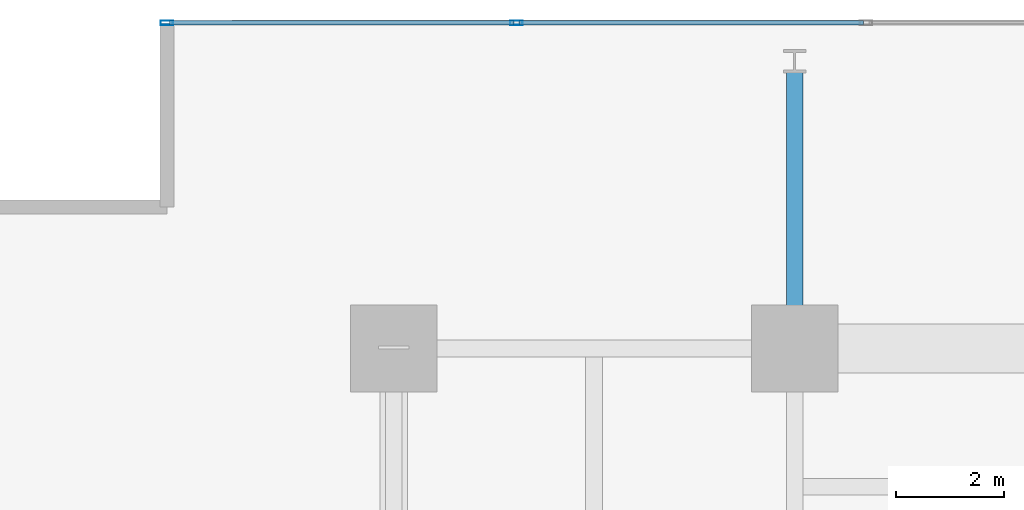
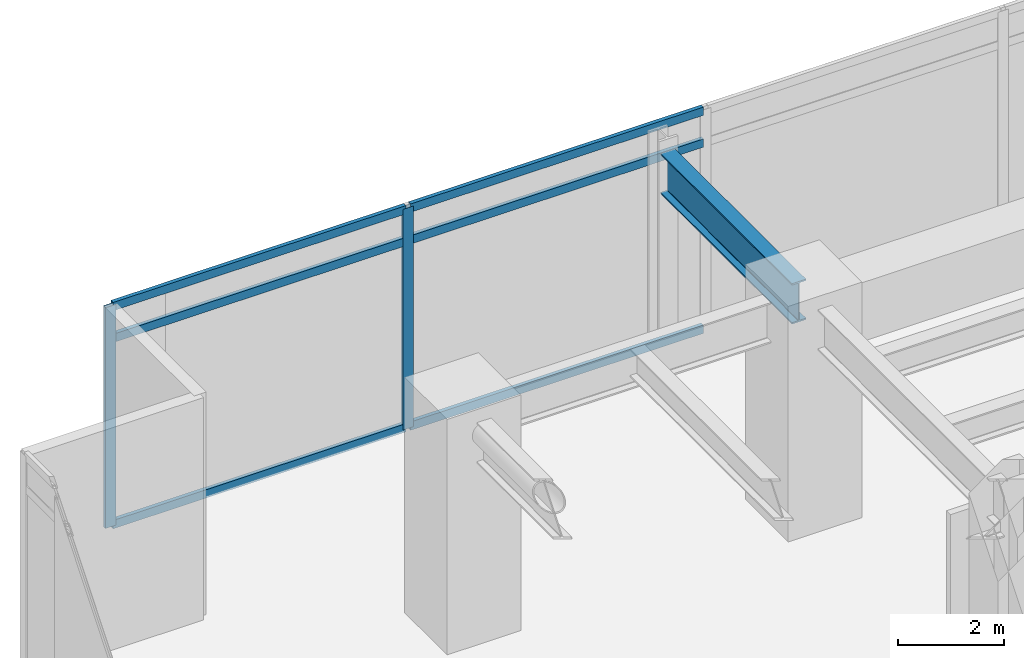
# One storey, part 13 of 23: 8 members, 1 beam, 1 element without a shape of its own.
"""IFC4 building model written with IfcOpenShell, lengths in metres."""

from ifc_helpers import new_model, si_unit, direction, frame, origin, origin_2d, place, context, subcontext, project, spatial, hollow_rectangle, i_section, extrude, material, material_profile, profile_set, type_object, element, aggregate, save


model = new_model("IFC4")

# Units and contexts
model_context = context("Model", 3, precision=1e-05, world=origin(), true_north=direction((0.0, 1.0)))
body_context = subcontext(model_context, "Body", "Model", "MODEL_VIEW")
ifc_project = project(units=[si_unit("LENGTHUNIT", "METRE"), si_unit("AREAUNIT", "SQUARE_METRE"), si_unit("VOLUMEUNIT", "CUBIC_METRE"), si_unit("PLANEANGLEUNIT", "RADIAN"), si_unit("MASSUNIT", "GRAM", prefix="KILO")], contexts=[model_context])

# Site, building, storey
site_placement = place(None, origin())
site = spatial("IfcSite", under=ifc_project, at=site_placement, CompositionType="ELEMENT")
building_placement = place(site_placement, origin())
building = spatial("IfcBuilding", under=site, at=building_placement, Name="Kovane Verandah Tower", CompositionType="ELEMENT")
storey_placement = place(building_placement, frame((0.0, 0.0, 107.60009765625)))
storey = spatial("IfcBuildingStorey", under=building, at=storey_placement, Name="L25", CompositionType="ELEMENT", Elevation=107.60009765625)

# Beam
ifc_material_1 = material(Name="Steel S460", Category="steel")
ifc_material_profile_1 = material_profile(ifc_material_1, i_section(OverallWidth=0.3076171875, OverallDepth=0.926513671875, WebThickness=0.01953125, FlangeThickness=0.031982421875, FilletRadius=0.01904296875, at=origin_2d()), Name="UB914x305x289")
ifc_profile_set_1 = profile_set([ifc_material_profile_1], Name="Steel S460")
beam_type = type_object("IfcBeamType", Name="BM-UB914x289", PredefinedType="BEAM", material=ifc_profile_set_1)
beam_placement = place(storey_placement, frame((29.0, 44.3798828125, 4.63671875), z_axis=(0.0, 1.0, 0.0), x_axis=(-1.0, 0.0, 0.0)))
element("IfcBeam", 1, at=beam_placement, inside=storey, type_object=beam_type, Name="L25 Primary Tower Girder G-VN1", PredefinedType="BEAM", context=body_context, shape_type="SweptSolid", body=[
    extrude(i_section(OverallWidth=0.3076171875, OverallDepth=0.926513671875, WebThickness=0.01953125, FlangeThickness=0.031982421875, FilletRadius=0.01904296875, at=origin_2d()), origin(), (0.0, 0.0, 1.0), 4.940185546875),
])

# Curtain wall, members
ifc_material_2 = material(Name="Champagne Anodised Aluminium Frame with Low-E Clear Laminated Glass", Category="aluminium")
curtain_wall_type = type_object("IfcCurtainWallType", Name="CW-SYS-02-LOW", PredefinedType="NOTDEFINED", material=ifc_material_2)
curtain_wall_placement = place(storey_placement, origin())
curtain_wall = element("IfcCurtainWall", 2, at=curtain_wall_placement, inside=storey, type_object=curtain_wall_type, Name="L25 N Unitised Curtain Wall", PredefinedType="NOTDEFINED")
ifc_material_3 = material(Name="Champagne Anodised Aluminium 6063-T6", Category="aluminium")
ifc_material_profile_2 = material_profile(ifc_material_3, hollow_rectangle(XDim=0.0849609375, YDim=0.22998046875, WallThickness=0.00390625, at=origin_2d()), Name="AL85x230x4")
ifc_profile_set_2 = profile_set([ifc_material_profile_2], Name="Champagne Anodised Aluminium 6063-T6")
member_type_1 = type_object("IfcMemberType", Name="CW-MUL-85x230", PredefinedType="MULLION", material=ifc_profile_set_2)
member_1_placement = place(storey_placement, frame((23.866455078125, 50.2109375, 0.02001953125), z_axis=(0.0, 0.0, 1.0), x_axis=(0.0, 1.0, 0.0)))
member_1 = element("IfcMember", 3, at=member_1_placement, type_object=member_type_1, Name="L25 N Unitised Curtain Wall Mullion 7", PredefinedType="MULLION", context=body_context, shape_type="SweptSolid", body=[
    extrude(hollow_rectangle(XDim=0.0849609375, YDim=0.22998046875, WallThickness=0.00390625, at=origin_2d()), origin(), (0.0, 0.0, 1.0), 5.059814453125),
])
member_2_placement = place(storey_placement, frame((17.4130859375, 50.2109375, 0.02001953125), z_axis=(0.0, 0.0, 1.0), x_axis=(0.0, 1.0, 0.0)))
member_2 = element("IfcMember", 4, at=member_2_placement, type_object=member_type_1, Name="L25 N Unitised Curtain Wall Mullion 8", PredefinedType="MULLION", context=body_context, shape_type="SweptSolid", body=[
    extrude(hollow_rectangle(XDim=0.0849609375, YDim=0.22998046875, WallThickness=0.00390625, at=origin_2d()), origin(), (0.0, 0.0, 1.0), 5.059814453125),
])
ifc_material_profile_3 = material_profile(ifc_material_3, hollow_rectangle(XDim=0.0849609375, YDim=0.18994140625, WallThickness=0.00390625, at=origin_2d()), Name="AL85x190x4")
ifc_profile_set_3 = profile_set([ifc_material_profile_3], Name="Champagne Anodised Aluminium 6063-T6")
member_type_2 = type_object("IfcMemberType", Name="CW-TRN-85x190", PredefinedType="USERDEFINED", material=ifc_profile_set_3)
member_3_placement = place(storey_placement, frame((30.27001953125, 50.2109375, 0.0498046875), z_axis=(-1.0, 0.0, 0.0), x_axis=(0.0, -1.0, 0.0)))
member_3 = element("IfcMember", 5, at=member_3_placement, type_object=member_type_2, Name="L25 N Unitised Curtain Wall Transom TB Bay 6", ObjectType="TRANSOM", PredefinedType="USERDEFINED", context=body_context, shape_type="SweptSolid", body=[
    extrude(hollow_rectangle(XDim=0.0849609375, YDim=0.18994140625, WallThickness=0.00390625, at=origin_2d()), origin(), (0.0, 0.0, 1.0), 6.353515625),
])
member_4_placement = place(storey_placement, frame((30.27001953125, 50.2109375, 4.31982421875), z_axis=(-1.0, 0.0, 0.0), x_axis=(0.0, -1.0, 0.0)))
member_4 = element("IfcMember", 6, at=member_4_placement, type_object=member_type_2, Name="L25 N Unitised Curtain Wall Transom TM Bay 6", ObjectType="TRANSOM", PredefinedType="USERDEFINED", context=body_context, shape_type="SweptSolid", body=[
    extrude(hollow_rectangle(XDim=0.0849609375, YDim=0.18994140625, WallThickness=0.00390625, at=origin_2d()), origin(), (0.0, 0.0, 1.0), 6.353515625),
])
member_5_placement = place(storey_placement, frame((30.27001953125, 50.2109375, 5.0498046875), z_axis=(-1.0, 0.0, 0.0), x_axis=(0.0, -1.0, 0.0)))
member_5 = element("IfcMember", 7, at=member_5_placement, type_object=member_type_2, Name="L25 N Unitised Curtain Wall Transom TT Bay 6", ObjectType="TRANSOM", PredefinedType="USERDEFINED", context=body_context, shape_type="SweptSolid", body=[
    extrude(hollow_rectangle(XDim=0.0849609375, YDim=0.18994140625, WallThickness=0.00390625, at=origin_2d()), origin(), (0.0, 0.0, 1.0), 6.353515625),
])
member_6_placement = place(storey_placement, frame((23.81640625, 50.2109375, 0.0498046875), z_axis=(-1.0, 0.0, 0.0), x_axis=(0.0, -1.0, 0.0)))
member_6 = element("IfcMember", 8, at=member_6_placement, type_object=member_type_2, Name="L25 N Unitised Curtain Wall Transom TB Bay 7", ObjectType="TRANSOM", PredefinedType="USERDEFINED", context=body_context, shape_type="SweptSolid", body=[
    extrude(hollow_rectangle(XDim=0.0849609375, YDim=0.18994140625, WallThickness=0.00390625, at=origin_2d()), origin(), (0.0, 0.0, 1.0), 6.353515625),
])
member_7_placement = place(storey_placement, frame((23.81640625, 50.2109375, 4.31982421875), z_axis=(-1.0, 0.0, 0.0), x_axis=(0.0, -1.0, 0.0)))
member_7 = element("IfcMember", 9, at=member_7_placement, type_object=member_type_2, Name="L25 N Unitised Curtain Wall Transom TM Bay 7", ObjectType="TRANSOM", PredefinedType="USERDEFINED", context=body_context, shape_type="SweptSolid", body=[
    extrude(hollow_rectangle(XDim=0.0849609375, YDim=0.18994140625, WallThickness=0.00390625, at=origin_2d()), origin(), (0.0, 0.0, 1.0), 6.353515625),
])
member_8_placement = place(storey_placement, frame((23.81640625, 50.2109375, 5.0498046875), z_axis=(-1.0, 0.0, 0.0), x_axis=(0.0, -1.0, 0.0)))
member_8 = element("IfcMember", 10, at=member_8_placement, type_object=member_type_2, Name="L25 N Unitised Curtain Wall Transom TT Bay 7", ObjectType="TRANSOM", PredefinedType="USERDEFINED", context=body_context, shape_type="SweptSolid", body=[
    extrude(hollow_rectangle(XDim=0.0849609375, YDim=0.18994140625, WallThickness=0.00390625, at=origin_2d()), origin(), (0.0, 0.0, 1.0), 6.353515625),
])
aggregate(curtain_wall, [member_1, member_2, member_3, member_4, member_5, member_6, member_7, member_8])

save(model, "model.ifc")
